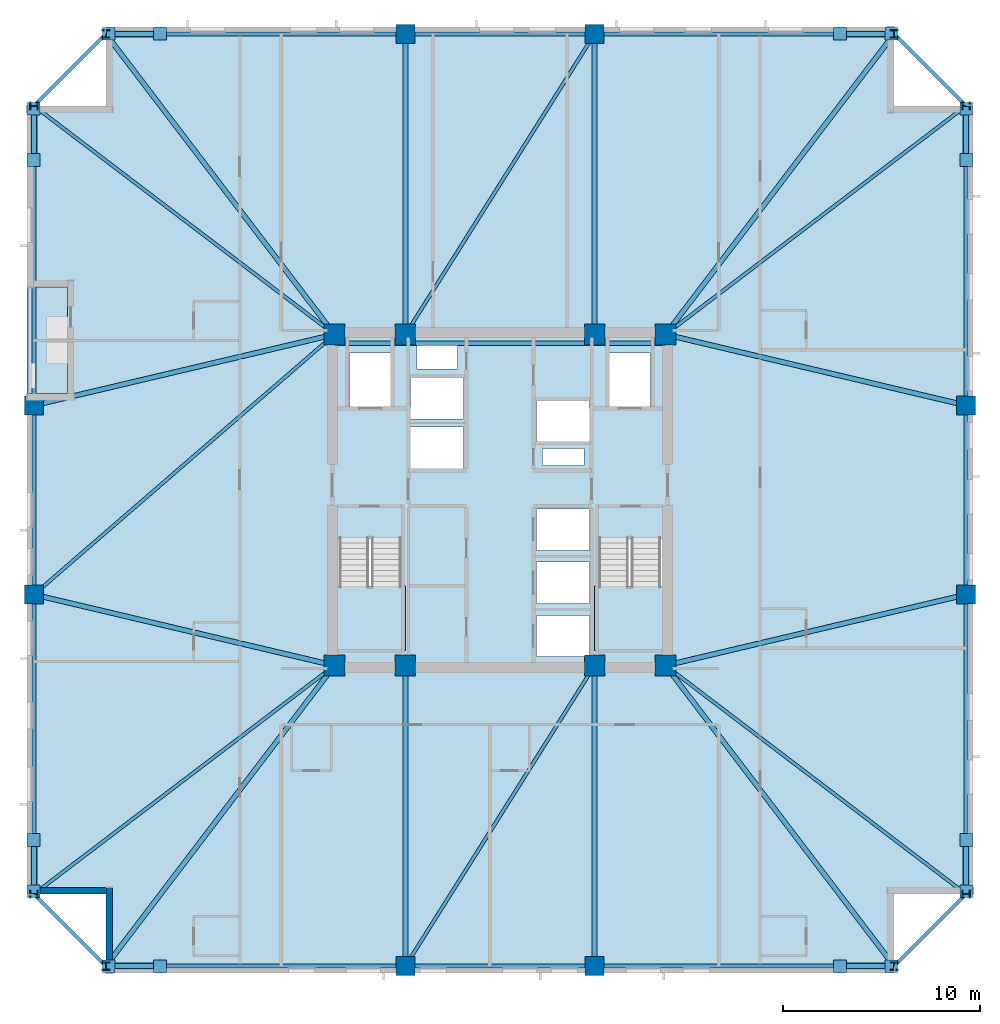
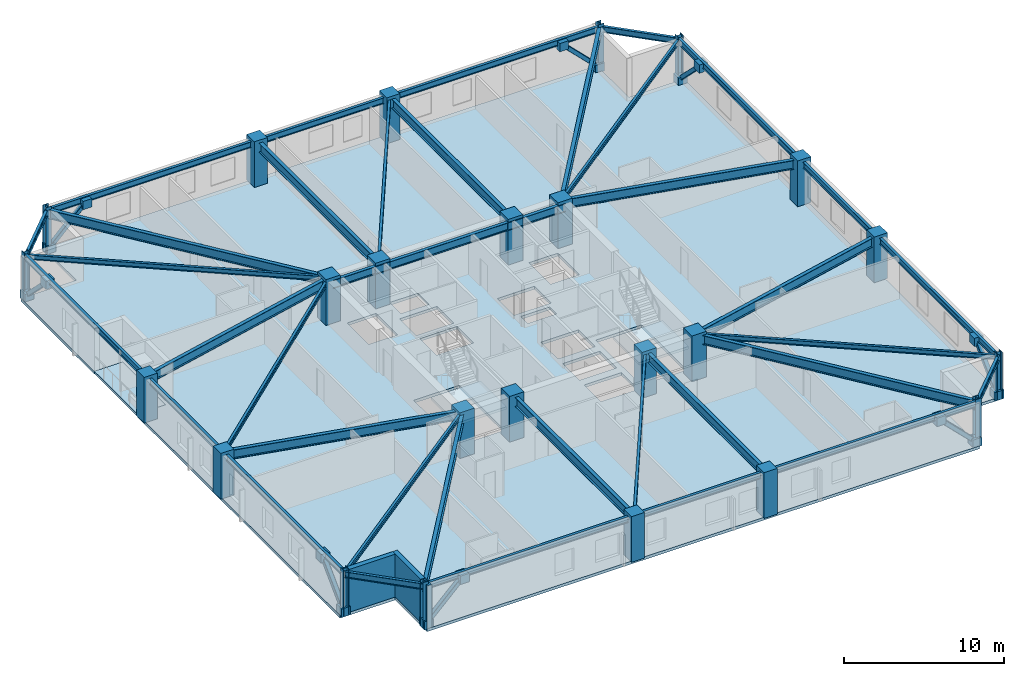
# One storey, part 1 of 10: 38 beams, 24 columns, 16 plates, 8 members, 4 slabs, 2 walls, 2 elements without a shape of their own.
"""IFC4 building model written with IfcOpenShell, lengths in metres."""

from ifc_helpers import new_model, si_unit, direction, frame, frame_2d, origin, origin_2d, place, context, subcontext, project, spatial, polyline, rectangle, hollow_rectangle, i_section, outline, extrude, material, layer, layer_set, material_profile, profile_set, type_object, element, aggregate, save


model = new_model("IFC4")

# Units and contexts
model_context = context("Model", 3, precision=1e-05, world=origin(), true_north=direction((0.0, 1.0)))
body_context = subcontext(model_context, "Body", "Model", "MODEL_VIEW")
ifc_project = project(units=[si_unit("LENGTHUNIT", "METRE"), si_unit("AREAUNIT", "SQUARE_METRE"), si_unit("VOLUMEUNIT", "CUBIC_METRE"), si_unit("PLANEANGLEUNIT", "RADIAN"), si_unit("MASSUNIT", "GRAM", prefix="KILO")], contexts=[model_context])

# Site, building, storey
site_placement = place(None, origin())
site = spatial("IfcSite", under=ifc_project, at=site_placement, CompositionType="ELEMENT")
building_placement = place(site_placement, origin())
building = spatial("IfcBuilding", under=site, at=building_placement, Name="Cairnveth Concourse Tower", CompositionType="ELEMENT")
storey_placement = place(building_placement, frame((0.0, 0.0, 109.5)))
storey = spatial("IfcBuildingStorey", under=building, at=storey_placement, Name="L29", CompositionType="ELEMENT", Elevation=109.5)

# Columns
ifc_material_1 = material(Name="Concrete N65 (65 MPa)", Category="concrete")
ifc_material_profile_1 = material_profile(ifc_material_1, rectangle(XDim=1.050048828125, YDim=1.050048828125, at=origin_2d()), Name="RC-COL-1050x1050")
ifc_profile_set_1 = profile_set([ifc_material_profile_1], Name="Concrete N65 (65 MPa)")
column_type_1 = type_object("IfcColumnType", Name="CORE COLUMN 1050X1050", PredefinedType="COLUMN", material=ifc_profile_set_1)
for number, where, z_axis, x_axis, name in (
    (1, (43.60009765625, 30.60009765625, 0.0), (0.0, 0.0, 1.0), (1.0, 0.0, 0.0), "Column CC1 L29"),
    (2, (47.199951171875, 30.60009765625, 0.0), (0.0, 0.0, 1.0), (1.0, 0.0, 0.0), "Column CC2 L29"),
    (3, (56.800048828125, 30.60009765625, 0.0), (0.0, 0.0, 1.0), (1.0, 0.0, 0.0), "Column CC3 L29"),
    (4, (60.39990234375, 30.60009765625, 0.0), (0.0, 0.0, 1.0), (1.0, 0.0, 0.0), "Column CC4 L29"),
    (5, (43.60009765625, 47.39990234375, 0.0), (0.0, 0.0, 1.0), (1.0, 0.0, 0.0), "Column CC5 L29"),
    (6, (47.199951171875, 47.39990234375, 0.0), (0.0, 0.0, 1.0), (1.0, 0.0, 0.0), "Column CC6 L29"),
    (7, (56.800048828125, 47.39990234375, 0.0), (0.0, 0.0, 1.0), (1.0, 0.0, 0.0), "Column CC7 L29"),
    (8, (60.39990234375, 47.39990234375, 0.0), (0.0, 0.0, 1.0), (1.0, 0.0, 0.0), "Column CC8 L29"),
):
    element("IfcColumn", number, at=place(storey_placement, frame(where, z_axis=z_axis, x_axis=x_axis)), inside=storey, type_object=column_type_1, Name=name, PredefinedType="COLUMN", context=body_context, shape_type="SweptSolid", body=[
        extrude(rectangle(XDim=1.050048828125, YDim=1.050048828125, at=origin_2d()), origin(), (0.0, 0.0, 1.0), 3.5),
    ])
ifc_material_profile_2 = material_profile(ifc_material_1, rectangle(XDim=0.949951171875, YDim=0.949951171875, at=origin_2d()), Name="RC-COL-950x950")
ifc_profile_set_2 = profile_set([ifc_material_profile_2], Name="Concrete N65 (65 MPa)")
column_type_2 = type_object("IfcColumnType", Name="PERIMETER PIER COLUMN 950X950", PredefinedType="COLUMN", material=ifc_profile_set_2)
for number, where, z_axis, x_axis, name in (
    (9, (47.199951171875, 15.35009765625, 0.0), (0.0, 0.0, 1.0), (1.0, 0.0, 0.0), "Column P-S2 L29"),
    (10, (56.800048828125, 15.35009765625, 0.0), (0.0, 0.0, 1.0), (1.0, 0.0, 0.0), "Column P-S3 L29"),
    (11, (75.64990234375, 34.199951171875, 0.0), (0.0, 0.0, 1.0), (0.0, 1.0, 0.0), "Column P-E2 L29"),
    (12, (75.64990234375, 43.800048828125, 0.0), (0.0, 0.0, 1.0), (0.0, 1.0, 0.0), "Column P-E3 L29"),
    (13, (56.800048828125, 62.64990234375, 0.0), (0.0, 0.0, 1.0), (1.0, 0.0, 0.0), "Column P-N2 L29"),
    (14, (47.199951171875, 62.64990234375, 0.0), (0.0, 0.0, 1.0), (1.0, 0.0, 0.0), "Column P-N3 L29"),
    (15, (28.35009765625, 43.800048828125, 0.0), (0.0, 0.0, 1.0), (0.0, 1.0, 0.0), "Column P-W2 L29"),
    (16, (28.35009765625, 34.199951171875, 0.0), (0.0, 0.0, 1.0), (0.0, 1.0, 0.0), "Column P-W3 L29"),
):
    element("IfcColumn", number, at=place(storey_placement, frame(where, z_axis=z_axis, x_axis=x_axis)), inside=storey, type_object=column_type_2, Name=name, PredefinedType="COLUMN", context=body_context, shape_type="SweptSolid", body=[
        extrude(rectangle(XDim=0.949951171875, YDim=0.949951171875, at=origin_2d()), origin(), (0.0, 0.0, 1.0), 3.5),
    ])
ifc_material_2 = material(Name="Steel Grade 350", Category="steel")
ifc_material_profile_3 = material_profile(ifc_material_2, i_section(OverallWidth=0.39990234375, OverallDepth=0.39990234375, WebThickness=0.02197265625, FlangeThickness=0.035888671875, at=origin_2d()), Name="400WC270")
ifc_profile_set_3 = profile_set([ifc_material_profile_3], Name="Steel Grade 350")
column_type_3 = type_object("IfcColumnType", Name="WELDED STEEL COLUMN 400WC270", PredefinedType="COLUMN", material=ifc_profile_set_3)
for number, where, z_axis, x_axis, name in (
    (17, (32.0, 15.35009765625, 0.0), (0.0, 0.0, 1.0), (1.0, 0.0, 0.0), "Column P-S1 L29"),
    (18, (72.0, 15.35009765625, 0.0), (0.0, 0.0, 1.0), (1.0, 0.0, 0.0), "Column P-S4 L29"),
    (19, (75.64990234375, 19.0, 0.0), (0.0, 0.0, 1.0), (0.0, 1.0, 0.0), "Column P-E1 L29"),
    (20, (75.64990234375, 59.0, 0.0), (0.0, 0.0, 1.0), (0.0, 1.0, 0.0), "Column P-E4 L29"),
    (21, (72.0, 62.64990234375, 0.0), (0.0, 0.0, 1.0), (1.0, 0.0, 0.0), "Column P-N1 L29"),
    (22, (32.0, 62.64990234375, 0.0), (0.0, 0.0, 1.0), (1.0, 0.0, 0.0), "Column P-N4 L29"),
    (23, (28.35009765625, 59.0, 0.0), (0.0, 0.0, 1.0), (0.0, 1.0, 0.0), "Column P-W1 L29"),
    (24, (28.35009765625, 19.0, 0.0), (0.0, 0.0, 1.0), (0.0, 1.0, 0.0), "Column P-W4 L29"),
):
    element("IfcColumn", number, at=place(storey_placement, frame(where, z_axis=z_axis, x_axis=x_axis)), inside=storey, type_object=column_type_3, Name=name, PredefinedType="COLUMN", context=body_context, shape_type="SweptSolid", body=[
        extrude(i_section(OverallWidth=0.39990234375, OverallDepth=0.39990234375, WebThickness=0.02197265625, FlangeThickness=0.035888671875, at=origin_2d()), origin(), (0.0, 0.0, 1.0), 3.5),
    ])

# Beams
ifc_material_profile_4 = material_profile(ifc_material_2, i_section(OverallWidth=0.22802734375, OverallDepth=0.60693359375, WebThickness=0.01123046875, FlangeThickness=0.017333984375, FilletRadius=0.013916015625, at=origin_2d()), Name="610UB113")
ifc_profile_set_4 = profile_set([ifc_material_profile_4], Name="Steel Grade 350")
beam_type_1 = type_object("IfcBeamType", Name="CORE TIE BEAM 610UB113", PredefinedType="T_BEAM", material=ifc_profile_set_4)
for number, where, z_axis, x_axis, name in (
    (25, (43.60009765625, 46.949951171875, 2.9765625), (1.0, 0.0, 0.0), (0.0, 1.0, 0.0), "Beam CT-N1 L29"),
    (26, (56.800048828125, 46.949951171875, 2.9765625), (1.0, 0.0, 0.0), (0.0, 1.0, 0.0), "Beam CT-N3 L29"),
):
    element("IfcBeam", number, at=place(storey_placement, frame(where, z_axis=z_axis, x_axis=x_axis)), inside=storey, type_object=beam_type_1, Name=name, PredefinedType="T_BEAM", context=body_context, shape_type="SweptSolid", body=[
        extrude(i_section(OverallWidth=0.22802734375, OverallDepth=0.60693359375, WebThickness=0.01123046875, FlangeThickness=0.017333984375, FilletRadius=0.013916015625, at=origin_2d()), origin(), (0.0, 0.0, 1.0), 3.599853515625),
    ])
beam_1_placement = place(storey_placement, frame((47.199951171875, 46.949951171875, 2.9765625), z_axis=(1.0, 0.0, 0.0), x_axis=(0.0, 1.0, 0.0)))
element("IfcBeam", 27, at=beam_1_placement, inside=storey, type_object=beam_type_1, Name="Beam CT-N2 L29", PredefinedType="T_BEAM", context=body_context, shape_type="SweptSolid", body=[
    extrude(i_section(OverallWidth=0.22802734375, OverallDepth=0.60693359375, WebThickness=0.01123046875, FlangeThickness=0.017333984375, FilletRadius=0.013916015625, at=origin_2d()), origin(), (0.0, 0.0, 1.0), 9.60009765625),
])
ifc_material_profile_5 = material_profile(ifc_material_2, i_section(OverallWidth=0.172119140625, OverallDepth=0.35888671875, WebThickness=0.008056640625, FlangeThickness=0.012939453125, FilletRadius=0.010986328125, at=origin_2d()), Name="360UB56.7")
ifc_profile_set_5 = profile_set([ifc_material_profile_5], Name="Steel Grade 350")
beam_type_2 = type_object("IfcBeamType", Name="ZONE 2 FLOOR JOIST 360UB56.7", PredefinedType="JOIST", material=ifc_profile_set_5)
for number, where, z_axis, x_axis, name in (
    (28, (28.35009765625, 19.0, 3.1005859375), (0.795908242904, 0.6054172684, 0.0), (-0.6054172684, 0.795908242904, 0.0), "Beam FJ-CSW2 L29"),
    (29, (75.64990234375, 19.0, 3.1005859375), (-0.795908242904, 0.6054172684, 0.0), (-0.6054172684, -0.795908242904, 0.0), "Beam FJ-CSE2 L29"),
    (30, (75.64990234375, 59.0, 3.1005859375), (-0.795908242904, -0.6054172684, 0.0), (0.6054172684, -0.795908242904, 0.0), "Beam FJ-CNE2 L29"),
    (31, (28.35009765625, 59.0, 3.1005859375), (0.795908242904, -0.6054172684, 0.0), (0.6054172684, 0.795908242904, 0.0), "Beam FJ-CNW2 L29"),
):
    element("IfcBeam", number, at=place(storey_placement, frame(where, z_axis=z_axis, x_axis=x_axis)), inside=storey, type_object=beam_type_2, Name=name, PredefinedType="JOIST", context=body_context, shape_type="SweptSolid", body=[
        extrude(i_section(OverallWidth=0.172119140625, OverallDepth=0.35888671875, WebThickness=0.008056640625, FlangeThickness=0.012939453125, FilletRadius=0.010986328125, at=origin_2d()), origin(), (0.0, 0.0, 1.0), 19.160400390625),
    ])
for number, where, z_axis, x_axis, name in (
    (32, (47.199951171875, 15.35009765625, 3.1005859375), (0.532743557037, 0.84627672923, 0.0), (-0.84627672923, 0.532743557037, 0.0), "Beam FJ-S-M1 L29"),
    (33, (47.199951171875, 47.39990234375, 3.1005859375), (0.532743557037, 0.84627672923, 0.0), (-0.84627672923, 0.532743557037, 0.0), "Beam FJ-N-M1 L29"),
):
    element("IfcBeam", number, at=place(storey_placement, frame(where, z_axis=z_axis, x_axis=x_axis)), inside=storey, type_object=beam_type_2, Name=name, PredefinedType="JOIST", context=body_context, shape_type="SweptSolid", body=[
        extrude(i_section(OverallWidth=0.172119140625, OverallDepth=0.35888671875, WebThickness=0.008056640625, FlangeThickness=0.012939453125, FilletRadius=0.010986328125, at=origin_2d()), origin(), (0.0, 0.0, 1.0), 18.02001953125),
    ])
beam_2_placement = place(storey_placement, frame((28.35009765625, 34.199951171875, 3.1005859375), z_axis=(0.756099107057, 0.654457134049, 0.0), x_axis=(-0.654457134049, 0.756099107057, 0.0)))
element("IfcBeam", 34, at=beam_2_placement, inside=storey, type_object=beam_type_2, Name="Beam FJ-W-M1 L29", PredefinedType="JOIST", context=body_context, shape_type="SweptSolid", body=[
    extrude(i_section(OverallWidth=0.172119140625, OverallDepth=0.35888671875, WebThickness=0.008056640625, FlangeThickness=0.012939453125, FilletRadius=0.010986328125, at=origin_2d()), origin(), (0.0, 0.0, 1.0), 20.16943359375),
])

# Members
ifc_material_3 = material(Name="Steel C350L0 (350 MPa)", Category="steel")
ifc_material_profile_6 = material_profile(ifc_material_3, hollow_rectangle(XDim=0.300048828125, YDim=0.300048828125, WallThickness=0.01611328125, InnerFilletRadius=0.01611328125, OuterFilletRadius=0.031982421875, at=origin_2d()), Name="300x300x16.0SHS")
ifc_profile_set_6 = profile_set([ifc_material_profile_6], Name="Steel C350L0 (350 MPa)")
member_type = type_object("IfcMemberType", Name="ZONE 2 PIER BRACE 300X300X16SHS", PredefinedType="BRACE", material=ifc_profile_set_6)
for number, where, z_axis, x_axis, name in (
    (35, (32.14990234375, 15.35009765625, 0.25), (0.709834195787, 0.0, 0.704368805735), (0.0, 1.0, 0.0), "Structural Brace PB-S1 L29"),
    (36, (71.85009765625, 15.35009765625, 0.25), (-0.709834195787, 0.0, 0.704368805735), (0.0, -1.0, 0.0), "Structural Brace PB-S2 L29"),
    (37, (32.14990234375, 62.64990234375, 0.25), (0.709834195787, 0.0, 0.704368805735), (0.0, 1.0, 0.0), "Structural Brace PB-N1 L29"),
    (38, (71.85009765625, 62.64990234375, 0.25), (-0.709834195787, 0.0, 0.704368805735), (0.0, -1.0, 0.0), "Structural Brace PB-N2 L29"),
    (39, (28.35009765625, 19.14990234375, 0.25), (0.0, 0.709834195787, 0.704368805735), (-1.0, 0.0, 0.0), "Structural Brace PB-W1 L29"),
    (40, (28.35009765625, 58.85009765625, 0.25), (0.0, -0.709834195787, 0.704368805735), (1.0, 0.0, 0.0), "Structural Brace PB-W2 L29"),
    (41, (75.64990234375, 19.14990234375, 0.25), (0.0, 0.709834195787, 0.704368805735), (-1.0, 0.0, 0.0), "Structural Brace PB-E1 L29"),
    (42, (75.64990234375, 58.85009765625, 0.25), (0.0, -0.709834195787, 0.704368805735), (1.0, 0.0, 0.0), "Structural Brace PB-E2 L29"),
):
    element("IfcMember", number, at=place(storey_placement, frame(where, z_axis=z_axis, x_axis=x_axis)), inside=storey, type_object=member_type, Name=name, PredefinedType="BRACE", context=body_context, shape_type="SweptSolid", body=[
        extrude(hollow_rectangle(XDim=0.300048828125, YDim=0.300048828125, WallThickness=0.01611328125, InnerFilletRadius=0.01611328125, OuterFilletRadius=0.031982421875, at=origin_2d()), origin(), (0.0, 0.0, 1.0), 3.6630859375),
    ])

# Beams
ifc_material_profile_7 = material_profile(ifc_material_2, i_section(OverallWidth=0.25, OverallDepth=0.699951171875, WebThickness=0.011962890625, FlangeThickness=0.028076171875, at=origin_2d()), Name="700WB173")
ifc_profile_set_7 = profile_set([ifc_material_profile_7], Name="Steel Grade 350")
beam_type_3 = type_object("IfcBeamType", Name="ZONE 2 RADIAL GIRDER 700WB173", PredefinedType="BEAM", material=ifc_profile_set_7)
for number, where, z_axis, x_axis, name in (
    (43, (47.199951171875, 15.35009765625, 2.929931640625), (0.0, 1.0, 0.0), (-1.0, 0.0, 0.0), "Beam RG-S1 L29"),
    (44, (56.800048828125, 15.35009765625, 2.929931640625), (0.0, 1.0, 0.0), (-1.0, 0.0, 0.0), "Beam RG-S2 L29"),
    (45, (47.199951171875, 47.39990234375, 2.929931640625), (0.0, 1.0, 0.0), (-1.0, 0.0, 0.0), "Beam RG-N1 L29"),
    (46, (56.800048828125, 47.39990234375, 2.929931640625), (0.0, 1.0, 0.0), (-1.0, 0.0, 0.0), "Beam RG-N2 L29"),
):
    element("IfcBeam", number, at=place(storey_placement, frame(where, z_axis=z_axis, x_axis=x_axis)), inside=storey, type_object=beam_type_3, Name=name, PredefinedType="BEAM", context=body_context, shape_type="SweptSolid", body=[
        extrude(i_section(OverallWidth=0.25, OverallDepth=0.699951171875, WebThickness=0.011962890625, FlangeThickness=0.028076171875, at=origin_2d()), origin(), (0.0, 0.0, 1.0), 15.25),
    ])
for number, where, z_axis, x_axis, name in (
    (47, (28.35009765625, 34.199951171875, 2.929931640625), (0.973251602929, -0.229741849468, 0.0), (0.229741849468, 0.973251602929, 0.0), "Beam RG-W1 L29"),
    (48, (28.35009765625, 43.800048828125, 2.929931640625), (0.973251602929, 0.229741849468, 0.0), (-0.229741849468, 0.973251602929, 0.0), "Beam RG-W2 L29"),
    (49, (60.39990234375, 30.60009765625, 2.929931640625), (0.973251602929, 0.229741849468, 0.0), (-0.229741849468, 0.973251602929, 0.0), "Beam RG-E1 L29"),
    (50, (60.39990234375, 47.39990234375, 2.929931640625), (0.973251602929, -0.229741849468, 0.0), (0.229741849468, 0.973251602929, 0.0), "Beam RG-E2 L29"),
):
    element("IfcBeam", number, at=place(storey_placement, frame(where, z_axis=z_axis, x_axis=x_axis)), inside=storey, type_object=beam_type_3, Name=name, PredefinedType="BEAM", context=body_context, shape_type="SweptSolid", body=[
        extrude(i_section(OverallWidth=0.25, OverallDepth=0.699951171875, WebThickness=0.011962890625, FlangeThickness=0.028076171875, at=origin_2d()), origin(), (0.0, 0.0, 1.0), 15.669189453125),
    ])
for number, where, z_axis, x_axis, name in (
    (51, (32.0, 15.35009765625, 2.929931640625), (0.6054172684, 0.795908242904, 0.0), (-0.795908242904, 0.6054172684, 0.0), "Beam RG-CSW L29"),
    (52, (72.0, 15.35009765625, 2.929931640625), (-0.6054172684, 0.795908242904, 0.0), (-0.795908242904, -0.6054172684, 0.0), "Beam RG-CSE L29"),
    (53, (72.0, 62.64990234375, 2.929931640625), (-0.6054172684, -0.795908242904, 0.0), (0.795908242904, -0.6054172684, 0.0), "Beam RG-CNE L29"),
    (54, (32.0, 62.64990234375, 2.929931640625), (0.6054172684, -0.795908242904, 0.0), (0.795908242904, 0.6054172684, 0.0), "Beam RG-CNW L29"),
):
    element("IfcBeam", number, at=place(storey_placement, frame(where, z_axis=z_axis, x_axis=x_axis)), inside=storey, type_object=beam_type_3, Name=name, PredefinedType="BEAM", context=body_context, shape_type="SweptSolid", body=[
        extrude(i_section(OverallWidth=0.25, OverallDepth=0.699951171875, WebThickness=0.011962890625, FlangeThickness=0.028076171875, at=origin_2d()), origin(), (0.0, 0.0, 1.0), 19.160400390625),
    ])
ifc_material_profile_8 = material_profile(ifc_material_2, i_section(OverallWidth=0.18994140625, OverallDepth=0.45703125, WebThickness=0.009033203125, FlangeThickness=0.014404296875, FilletRadius=0.010986328125, at=origin_2d()), Name="460UB74.6")
ifc_profile_set_8 = profile_set([ifc_material_profile_8], Name="Steel Grade 350")
beam_type_4 = type_object("IfcBeamType", Name="ZONE 2 SPANDREL BEAM 460UB74.6", PredefinedType="SPANDREL", material=ifc_profile_set_8)
beam_3_placement = place(storey_placement, frame((32.0, 15.35009765625, 3.051513671875), z_axis=(1.0, 0.0, 0.0), x_axis=(0.0, 1.0, 0.0)))
element("IfcBeam", 55, at=beam_3_placement, inside=storey, type_object=beam_type_4, Name="Beam SP-S1 L29", PredefinedType="SPANDREL", context=body_context, shape_type="SweptSolid", body=[
    extrude(i_section(OverallWidth=0.18994140625, OverallDepth=0.45703125, WebThickness=0.009033203125, FlangeThickness=0.014404296875, FilletRadius=0.010986328125, at=origin_2d()), origin(), (0.0, 0.0, 1.0), 15.199951171875),
])
beam_4_placement = place(storey_placement, frame((47.199951171875, 15.35009765625, 3.051513671875), z_axis=(1.0, 0.0, 0.0), x_axis=(0.0, 1.0, 0.0)))
element("IfcBeam", 56, at=beam_4_placement, inside=storey, type_object=beam_type_4, Name="Beam SP-S2 L29", PredefinedType="SPANDREL", context=body_context, shape_type="SweptSolid", body=[
    extrude(i_section(OverallWidth=0.18994140625, OverallDepth=0.45703125, WebThickness=0.009033203125, FlangeThickness=0.014404296875, FilletRadius=0.010986328125, at=origin_2d()), origin(), (0.0, 0.0, 1.0), 9.60009765625),
])
for number, where, z_axis, x_axis, name in (
    (57, (56.800048828125, 15.35009765625, 3.051513671875), (1.0, 0.0, 0.0), (0.0, 1.0, 0.0), "Beam SP-S3 L29"),
    (58, (32.0, 62.64990234375, 3.051513671875), (1.0, 0.0, 0.0), (0.0, 1.0, 0.0), "Beam SP-N1 L29"),
):
    element("IfcBeam", number, at=place(storey_placement, frame(where, z_axis=z_axis, x_axis=x_axis)), inside=storey, type_object=beam_type_4, Name=name, PredefinedType="SPANDREL", context=body_context, shape_type="SweptSolid", body=[
        extrude(i_section(OverallWidth=0.18994140625, OverallDepth=0.45703125, WebThickness=0.009033203125, FlangeThickness=0.014404296875, FilletRadius=0.010986328125, at=origin_2d()), origin(), (0.0, 0.0, 1.0), 15.199951171875),
    ])
beam_5_placement = place(storey_placement, frame((47.199951171875, 62.64990234375, 3.051513671875), z_axis=(1.0, 0.0, 0.0), x_axis=(0.0, 1.0, 0.0)))
element("IfcBeam", 59, at=beam_5_placement, inside=storey, type_object=beam_type_4, Name="Beam SP-N2 L29", PredefinedType="SPANDREL", context=body_context, shape_type="SweptSolid", body=[
    extrude(i_section(OverallWidth=0.18994140625, OverallDepth=0.45703125, WebThickness=0.009033203125, FlangeThickness=0.014404296875, FilletRadius=0.010986328125, at=origin_2d()), origin(), (0.0, 0.0, 1.0), 9.60009765625),
])
for number, where, z_axis, x_axis, name in (
    (60, (56.800048828125, 62.64990234375, 3.051513671875), (1.0, 0.0, 0.0), (0.0, 1.0, 0.0), "Beam SP-N3 L29"),
    (61, (28.35009765625, 19.0, 3.051513671875), (0.0, 1.0, 0.0), (-1.0, 0.0, 0.0), "Beam SP-W1 L29"),
):
    element("IfcBeam", number, at=place(storey_placement, frame(where, z_axis=z_axis, x_axis=x_axis)), inside=storey, type_object=beam_type_4, Name=name, PredefinedType="SPANDREL", context=body_context, shape_type="SweptSolid", body=[
        extrude(i_section(OverallWidth=0.18994140625, OverallDepth=0.45703125, WebThickness=0.009033203125, FlangeThickness=0.014404296875, FilletRadius=0.010986328125, at=origin_2d()), origin(), (0.0, 0.0, 1.0), 15.199951171875),
    ])
beam_6_placement = place(storey_placement, frame((28.35009765625, 34.199951171875, 3.051513671875), z_axis=(0.0, 1.0, 0.0), x_axis=(-1.0, 0.0, 0.0)))
element("IfcBeam", 62, at=beam_6_placement, inside=storey, type_object=beam_type_4, Name="Beam SP-W2 L29", PredefinedType="SPANDREL", context=body_context, shape_type="SweptSolid", body=[
    extrude(i_section(OverallWidth=0.18994140625, OverallDepth=0.45703125, WebThickness=0.009033203125, FlangeThickness=0.014404296875, FilletRadius=0.010986328125, at=origin_2d()), origin(), (0.0, 0.0, 1.0), 9.60009765625),
])
for number, where, z_axis, x_axis, name in (
    (63, (28.35009765625, 43.800048828125, 3.051513671875), (0.0, 1.0, 0.0), (-1.0, 0.0, 0.0), "Beam SP-W3 L29"),
    (64, (75.64990234375, 19.0, 3.051513671875), (0.0, 1.0, 0.0), (-1.0, 0.0, 0.0), "Beam SP-E1 L29"),
):
    element("IfcBeam", number, at=place(storey_placement, frame(where, z_axis=z_axis, x_axis=x_axis)), inside=storey, type_object=beam_type_4, Name=name, PredefinedType="SPANDREL", context=body_context, shape_type="SweptSolid", body=[
        extrude(i_section(OverallWidth=0.18994140625, OverallDepth=0.45703125, WebThickness=0.009033203125, FlangeThickness=0.014404296875, FilletRadius=0.010986328125, at=origin_2d()), origin(), (0.0, 0.0, 1.0), 15.199951171875),
    ])
beam_7_placement = place(storey_placement, frame((75.64990234375, 34.199951171875, 3.051513671875), z_axis=(0.0, 1.0, 0.0), x_axis=(-1.0, 0.0, 0.0)))
element("IfcBeam", 65, at=beam_7_placement, inside=storey, type_object=beam_type_4, Name="Beam SP-E2 L29", PredefinedType="SPANDREL", context=body_context, shape_type="SweptSolid", body=[
    extrude(i_section(OverallWidth=0.18994140625, OverallDepth=0.45703125, WebThickness=0.009033203125, FlangeThickness=0.014404296875, FilletRadius=0.010986328125, at=origin_2d()), origin(), (0.0, 0.0, 1.0), 9.60009765625),
])
beam_8_placement = place(storey_placement, frame((75.64990234375, 43.800048828125, 3.051513671875), z_axis=(0.0, 1.0, 0.0), x_axis=(-1.0, 0.0, 0.0)))
element("IfcBeam", 66, at=beam_8_placement, inside=storey, type_object=beam_type_4, Name="Beam SP-E3 L29", PredefinedType="SPANDREL", context=body_context, shape_type="SweptSolid", body=[
    extrude(i_section(OverallWidth=0.18994140625, OverallDepth=0.45703125, WebThickness=0.009033203125, FlangeThickness=0.014404296875, FilletRadius=0.010986328125, at=origin_2d()), origin(), (0.0, 0.0, 1.0), 15.199951171875),
])
for number, where, z_axis, x_axis, name in (
    (67, (28.35009765625, 19.0, 3.051513671875), (0.707106781187, -0.707106781187, 0.0), (0.707106781187, 0.707106781187, 0.0), "Beam SP-SW L29"),
    (68, (72.0, 15.35009765625, 3.051513671875), (0.707106781187, 0.707106781187, 0.0), (-0.707106781187, 0.707106781187, 0.0), "Beam SP-SE L29"),
    (69, (72.0, 62.64990234375, 3.051513671875), (0.707106781187, -0.707106781187, 0.0), (0.707106781187, 0.707106781187, 0.0), "Beam SP-NE L29"),
    (70, (28.35009765625, 59.0, 3.051513671875), (0.707106781187, 0.707106781187, 0.0), (-0.707106781187, 0.707106781187, 0.0), "Beam SP-NW L29"),
):
    element("IfcBeam", number, at=place(storey_placement, frame(where, z_axis=z_axis, x_axis=x_axis)), inside=storey, type_object=beam_type_4, Name=name, PredefinedType="SPANDREL", context=body_context, shape_type="SweptSolid", body=[
        extrude(i_section(OverallWidth=0.18994140625, OverallDepth=0.45703125, WebThickness=0.009033203125, FlangeThickness=0.014404296875, FilletRadius=0.010986328125, at=origin_2d()), origin(), (0.0, 0.0, 1.0), 5.16162109375),
    ])

# Slab
ifc_material_4 = material(Name="Concrete N50 (50 MPa)", Category="concrete")
ifc_layer_1 = layer(ifc_material_4, 0.219970703125)
ifc_layer_set_1 = layer_set([ifc_layer_1], Name="Concrete N50 (50 MPa)")
slab_type_1 = type_object("IfcSlabType", Name="LOWER TOWER COMPOSITE SLAB 220", PredefinedType="FLOOR", material=ifc_layer_set_1)
slab_1_placement = place(storey_placement, frame((0.0, 0.0, -0.219970703125)))
element("IfcSlab", 71, at=slab_1_placement, inside=storey, type_object=slab_type_1, Name="Tower Floor Slab L29", PredefinedType="FLOOR", context=body_context, shape_type="SweptSolid", body=[
    extrude(outline(polyline([(28.0, 49.800048828125), (30.050048828125, 49.800048828125), (30.050048828125, 44.39990234375), (28.0, 44.39990234375), (28.0, 19.0), (32.0, 19.0), (32.0, 15.0), (72.0, 15.0), (72.0, 19.0), (76.0, 19.0), (76.0, 59.0), (72.0, 59.0), (72.0, 63.0), (32.0, 63.0), (32.0, 59.0), (28.0, 59.0), (28.0, 49.800048828125)]), holes=[polyline([(43.760009765625, 31.360107421875), (47.06005859375, 31.360107421875), (47.06005859375, 37.0400390625), (43.760009765625, 37.0400390625), (43.760009765625, 31.360107421875)]), polyline([(56.93994140625, 31.360107421875), (60.239990234375, 31.360107421875), (60.239990234375, 37.0400390625), (56.93994140625, 37.0400390625), (56.93994140625, 31.360107421875)]), polyline([(44.3701171875, 43.75), (46.469970703125, 43.75), (46.469970703125, 46.449951171875), (44.3701171875, 46.449951171875), (44.3701171875, 43.75)]), polyline([(57.530029296875, 43.75), (59.6298828125, 43.75), (59.6298828125, 46.449951171875), (57.530029296875, 46.449951171875), (57.530029296875, 43.75)]), polyline([(53.85009765625, 31.050048828125), (56.550048828125, 31.050048828125), (56.550048828125, 33.14990234375), (53.85009765625, 33.14990234375), (53.85009765625, 31.050048828125)]), polyline([(53.85009765625, 33.75), (56.550048828125, 33.75), (56.550048828125, 35.85009765625), (53.85009765625, 35.85009765625), (53.85009765625, 33.75)]), polyline([(53.85009765625, 36.449951171875), (56.550048828125, 36.449951171875), (56.550048828125, 38.550048828125), (53.85009765625, 38.550048828125), (53.85009765625, 36.449951171875)]), polyline([(47.449951171875, 40.60009765625), (50.14990234375, 40.60009765625), (50.14990234375, 42.699951171875), (47.449951171875, 42.699951171875), (47.449951171875, 40.60009765625)]), polyline([(47.449951171875, 43.10009765625), (50.14990234375, 43.10009765625), (50.14990234375, 45.199951171875), (47.449951171875, 45.199951171875), (47.449951171875, 43.10009765625)]), polyline([(53.85009765625, 41.949951171875), (56.550048828125, 41.949951171875), (56.550048828125, 44.050048828125), (53.85009765625, 44.050048828125), (53.85009765625, 41.949951171875)]), polyline([(47.800048828125, 45.64990234375), (49.85009765625, 45.64990234375), (49.85009765625, 47.050048828125), (47.800048828125, 47.050048828125), (47.800048828125, 45.64990234375)]), polyline([(54.14990234375, 40.75), (56.25, 40.75), (56.25, 41.6201171875), (54.14990234375, 41.6201171875), (54.14990234375, 40.75)])]), origin(), (0.0, 0.0, 1.0), 0.219970703125),
])

# Plates
ifc_layer_2 = layer(ifc_material_2, 0.031982421875)
ifc_layer_set_2 = layer_set([ifc_layer_2], Name="Steel Grade 350")
plate_type = type_object("IfcPlateType", Name="PERIMETER BRACE GUSSET PLATE 32", PredefinedType="USERDEFINED", material=ifc_layer_set_2)
for number, where, z_axis, x_axis, name in (
    (72, (32.14990234375, 15.35009765625, -0.06982421875), (0.0, 0.0, 1.0), (1.0, 0.0, 0.0), "Structural Node Plate 0497 L29"),
    (73, (34.75, 15.35009765625, 2.51025390625), (0.0, 0.0, 1.0), (1.0, 0.0, 0.0), "Structural Node Plate 0498 L29"),
    (74, (71.85009765625, 15.35009765625, -0.06982421875), (0.0, 0.0, 1.0), (1.0, 0.0, 0.0), "Structural Node Plate 0499 L29"),
    (75, (69.25, 15.35009765625, 2.51025390625), (0.0, 0.0, 1.0), (1.0, 0.0, 0.0), "Structural Node Plate 0500 L29"),
    (76, (32.14990234375, 62.64990234375, -0.06982421875), (0.0, 0.0, 1.0), (1.0, 0.0, 0.0), "Structural Node Plate 0501 L29"),
    (77, (34.75, 62.64990234375, 2.51025390625), (0.0, 0.0, 1.0), (1.0, 0.0, 0.0), "Structural Node Plate 0502 L29"),
    (78, (71.85009765625, 62.64990234375, -0.06982421875), (0.0, 0.0, 1.0), (1.0, 0.0, 0.0), "Structural Node Plate 0503 L29"),
    (79, (69.25, 62.64990234375, 2.51025390625), (0.0, 0.0, 1.0), (1.0, 0.0, 0.0), "Structural Node Plate 0504 L29"),
    (80, (28.35009765625, 19.14990234375, -0.06982421875), (0.0, 0.0, 1.0), (1.0, 0.0, 0.0), "Structural Node Plate 0505 L29"),
    (81, (28.35009765625, 21.75, 2.51025390625), (0.0, 0.0, 1.0), (1.0, 0.0, 0.0), "Structural Node Plate 0506 L29"),
    (82, (28.35009765625, 58.85009765625, -0.06982421875), (0.0, 0.0, 1.0), (1.0, 0.0, 0.0), "Structural Node Plate 0507 L29"),
    (83, (28.35009765625, 56.25, 2.51025390625), (0.0, 0.0, 1.0), (1.0, 0.0, 0.0), "Structural Node Plate 0508 L29"),
    (84, (75.64990234375, 19.14990234375, -0.06982421875), (0.0, 0.0, 1.0), (1.0, 0.0, 0.0), "Structural Node Plate 0509 L29"),
    (85, (75.64990234375, 21.75, 2.51025390625), (0.0, 0.0, 1.0), (1.0, 0.0, 0.0), "Structural Node Plate 0510 L29"),
    (86, (75.64990234375, 58.85009765625, -0.06982421875), (0.0, 0.0, 1.0), (1.0, 0.0, 0.0), "Structural Node Plate 0511 L29"),
    (87, (75.64990234375, 56.25, 2.51025390625), (0.0, 0.0, 1.0), (1.0, 0.0, 0.0), "Structural Node Plate 0512 L29"),
):
    element("IfcPlate", number, at=place(storey_placement, frame(where, z_axis=z_axis, x_axis=x_axis)), inside=storey, type_object=plate_type, Name=name, ObjectType="GUSSET PLATE", PredefinedType="USERDEFINED", context=body_context, shape_type="SweptSolid", body=[
        extrude(rectangle(XDim=0.639892578125, YDim=0.639892578125, at=origin_2d()), origin(), (0.0, 0.0, 1.0), 0.639892578125),
    ])

# Slab
ifc_layer_3 = layer(ifc_material_4, 0.18994140625)
ifc_layer_set_3 = layer_set([ifc_layer_3], Name="Concrete N50 (50 MPa)")
slab_type_2 = type_object("IfcSlabType", Name="SPIRAL OUTDOOR TERRACE SLAB 190", PredefinedType="FLOOR", material=ifc_layer_set_3)
slab_2_placement = place(storey_placement, frame((0.0, 0.0, -0.18994140625)))
element("IfcSlab", 88, at=slab_2_placement, inside=storey, type_object=slab_type_2, Name="Spiral Terrace Slab L29", PredefinedType="FLOOR", context=body_context, shape_type="SweptSolid", body=[
    extrude(outline(polyline([(28.0, 44.39990234375), (30.050048828125, 44.39990234375), (30.050048828125, 49.800048828125), (28.0, 49.800048828125), (28.0, 44.39990234375)])), origin(), (0.0, 0.0, 1.0), 0.18994140625),
])

# Stair, slab
ifc_material_5 = material(Name="Precast concrete N50 (50 MPa)", Category="concrete")
stair_type = type_object("IfcStairType", Name="CORE DOG-LEG FIRE STAIR 1500", PredefinedType="HALF_TURN_STAIR", material=ifc_material_5)
stair_1_placement = place(storey_placement, origin())
stair_1 = element("IfcStair", 89, at=stair_1_placement, inside=storey, type_object=stair_type, Name="L29 Fire-Isolated Stair ST-1", PredefinedType="HALF_TURN_STAIR")
ifc_layer_4 = layer(ifc_material_4, 0.199951171875)
ifc_layer_set_4 = layer_set([ifc_layer_4], Name="Concrete N50 (50 MPa)")
slab_type_3 = type_object("IfcSlabType", Name="STAIR HALF LANDING SLAB 200", PredefinedType="LANDING", material=ifc_layer_set_4)
slab_3_placement = place(storey_placement, frame((0.0, 0.0, 1.550048828125)))
slab_3 = element("IfcSlab", 90, at=slab_3_placement, type_object=slab_type_3, Name="ST-1 landing 1", PredefinedType="LANDING", context=body_context, shape_type="SweptSolid", body=[
    extrude(outline(polyline([(43.6201171875, 34.639892578125), (43.6201171875, 31.3701171875), (47.199951171875, 31.3701171875), (47.199951171875, 34.639892578125), (43.6201171875, 34.639892578125)])), origin(), (0.0, 0.0, 1.0), 0.199951171875),
])
aggregate(stair_1, [slab_3])

stair_2_placement = place(storey_placement, origin())
stair_2 = element("IfcStair", 91, at=stair_2_placement, inside=storey, type_object=stair_type, Name="L29 Fire-Isolated Stair ST-2", PredefinedType="HALF_TURN_STAIR")
slab_4_placement = place(storey_placement, frame((0.0, 0.0, 1.550048828125)))
slab_4 = element("IfcSlab", 92, at=slab_4_placement, type_object=slab_type_3, Name="ST-2 landing 1", PredefinedType="LANDING", context=body_context, shape_type="SweptSolid", body=[
    extrude(outline(polyline([(56.800048828125, 34.639892578125), (56.800048828125, 31.3701171875), (60.3798828125, 31.3701171875), (60.3798828125, 34.639892578125), (56.800048828125, 34.639892578125)])), origin(), (0.0, 0.0, 1.0), 0.199951171875),
])
aggregate(stair_2, [slab_4])

# Walls
ifc_material_6 = material(Name="Hawthorn Red-Ochre Fired Clay Brick Masonry", Category="masonry")
ifc_layer_5 = layer(ifc_material_6, 0.340087890625)
ifc_layer_set_5 = layer_set([ifc_layer_5], Name="Hawthorn Red-Ochre Fired Clay Brick Masonry")
wall_type = type_object("IfcWallType", Name="ZONE 2 BRICK PIER SPANDREL WALL 340", PredefinedType="SOLIDWALL", material=ifc_layer_set_5)
wall_1_placement = place(storey_placement, frame((32.169921875, 15.0, 0.0), z_axis=(0.0, 0.0, 1.0), x_axis=(0.0, 1.0, 0.0)))
element("IfcWall", 93, at=wall_1_placement, inside=storey, type_object=wall_type, Name="Exterior Wall EW-L29-S10", PredefinedType="SOLIDWALL", context=body_context, shape_type="SweptSolid", body=[
    extrude(rectangle(XDim=4.340087890625, YDim=0.340087890625, at=frame_2d((2.169921875, 0.0))), origin(), (0.0, 0.0, 1.0), 3.280029296875),
])
wall_2_placement = place(storey_placement, frame((32.02197265625, 19.169921875, 0.0), z_axis=(0.0, 0.0, 1.0), x_axis=(-1.0, 0.0, 0.0)))
element("IfcWall", 94, at=wall_2_placement, inside=storey, type_object=wall_type, Name="Exterior Wall EW-L29-S11", PredefinedType="SOLIDWALL", context=body_context, shape_type="SweptSolid", body=[
    extrude(rectangle(XDim=3.703857421875, YDim=0.340087890625, at=frame_2d((1.85205078125, 0.0))), origin(), (0.0, 0.0, 1.0), 3.280029296875),
])

save(model, "model.ifc")
